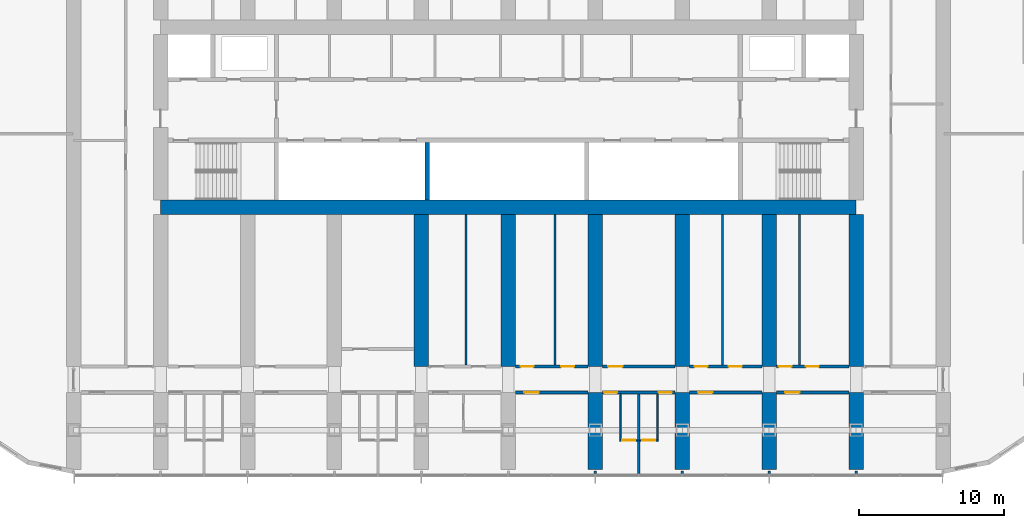
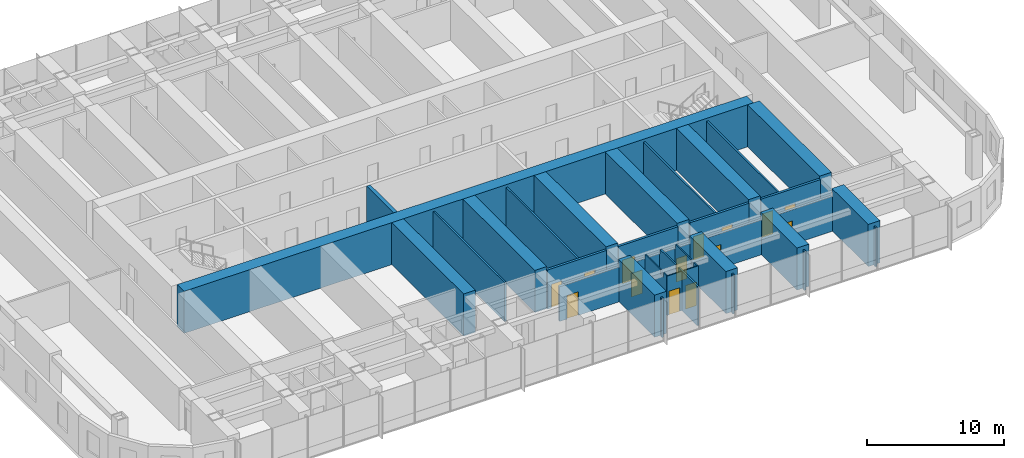
# One storey, part 12 of 22: 33 walls, 14 doors, 14 openings.
"""IFC4 building model written with IfcOpenShell, lengths in metres."""

from ifc_helpers import new_model, si_unit, direction, frame, frame_2d, origin, place, context, subcontext, project, spatial, polyline, rectangle, outline, extrude, material, layer, layer_set, type_object, element, fill, save


model = new_model("IFC4")

# Units and contexts
model_context = context("Model", 3, precision=1e-05, world=origin(), true_north=direction((0.0, 1.0)))
body_context = subcontext(model_context, "Body", "Model", "MODEL_VIEW")
ifc_project = project(units=[si_unit("LENGTHUNIT", "METRE"), si_unit("AREAUNIT", "SQUARE_METRE"), si_unit("VOLUMEUNIT", "CUBIC_METRE"), si_unit("PLANEANGLEUNIT", "RADIAN"), si_unit("MASSUNIT", "GRAM", prefix="KILO")], contexts=[model_context])

# Site, building, storey
site_placement = place(None, origin())
site = spatial("IfcSite", under=ifc_project, at=site_placement, CompositionType="ELEMENT")
building_placement = place(site_placement, origin())
building = spatial("IfcBuilding", under=site, at=building_placement, Name="Orbita Commons", CompositionType="ELEMENT")
storey_placement = place(building_placement, frame((0.0, 0.0, 57.699951171875)))
storey = spatial("IfcBuildingStorey", under=building, at=storey_placement, Name="L14", CompositionType="ELEMENT", Elevation=57.699951171875)

# Walls
ifc_material_1 = material(Name="Concrete C50/60", Category="concrete")
ifc_layer_1 = layer(ifc_material_1, 0.300048828125)
ifc_layer_set_1 = layer_set([ifc_layer_1], Name="Concrete C50/60")
wall_type_1 = type_object("IfcWallType", Name="Core inner wall 300 C50/60", PredefinedType="SHEAR", material=ifc_layer_set_1)
wall_1_placement = place(storey_placement, frame((36.39990234375, 26.300048828125, 0.0), z_axis=(0.0, 0.0, 1.0), x_axis=(0.0, 1.0, 0.0)))
element("IfcWall", 1, at=wall_1_placement, inside=storey, type_object=wall_type_1, Name="Hoistway division wall L14", PredefinedType="SHEAR", context=body_context, shape_type="SweptSolid", body=[
    extrude(rectangle(XDim=3.949951171875, YDim=0.300048828125, at=frame_2d((1.97509765625, 0.0))), origin(), (0.0, 0.0, 1.0), 3.75),
])
ifc_material_2 = material(Name="Concrete C50/60", Category="concrete")
ifc_layer_2 = layer(ifc_material_2, 1.0)
ifc_layer_set_2 = layer_set([ifc_layer_2], Name="Concrete C50/60")
wall_type_2 = type_object("IfcWallType", Name="Core wall 1000 C50/60", PredefinedType="SHEAR", material=ifc_layer_set_2)
wall_2_placement = place(storey_placement, frame((18.0, 25.800048828125, 0.0), z_axis=(0.0, 0.0, 1.0), x_axis=(1.0, 0.0, 0.0)))
element("IfcWall", 2, at=wall_2_placement, inside=storey, type_object=wall_type_2, Name="Core spine wall south L14", PredefinedType="SHEAR", context=body_context, shape_type="SweptSolid", body=[
    extrude(rectangle(XDim=48.0, YDim=1.0, at=frame_2d((24.0, 0.0))), origin(), (0.0, 0.0, 1.0), 3.75),
])

# Wall, opening, door
ifc_material_3 = material(Name="Concrete blockwork", Category="masonry")
ifc_layer_3 = layer(ifc_material_3, 0.199951171875)
ifc_layer_set_3 = layer_set([ifc_layer_3], Name="Concrete blockwork")
wall_type_3 = type_object("IfcWallType", Name="Corridor wall 200 blockwork", PredefinedType="SOLIDWALL", material=ifc_layer_set_3)
wall_3_placement = place(storey_placement, frame((42.5, 13.0, 0.0), z_axis=(0.0, 0.0, 1.0), x_axis=(1.0, 0.0, 0.0)))
wall_3 = element("IfcWall", 3, at=wall_3_placement, inside=storey, type_object=wall_type_3, Name="Corridor wall 200 blockwork L14", PredefinedType="SOLIDWALL", context=body_context, shape_type="SweptSolid", body=[
    extrude(outline(polyline([(0.0, 0.0), (5.0, 0.0), (5.0, 3.10009765625), (0.0, 3.10009765625), (0.0, 0.0)])), frame((0.0, 0.10009765625, 0.0), z_axis=(0.0, -1.0, 0.0), x_axis=(1.0, 0.0, 0.0)), (0.0, 0.0, 1.0), 0.199951171875),
])
opening_1_placement = place(wall_3_placement, frame((0.60009765625, 0.0, 0.0)))
opening_1 = element("IfcOpeningElement", 4, at=opening_1_placement, cuts=wall_3, Name="Opening D06", PredefinedType="OPENING", context=body_context, shape_type="SweptSolid", body=[
    extrude(rectangle(XDim=1.0, YDim=2.10009765625, at=frame_2d((0.5, 1.050048828125))), frame((0.0, 0.10986328125, 0.0), z_axis=(0.0, -1.0, 0.0), x_axis=(1.0, 0.0, 0.0)), (0.0, 0.0, 1.0), 0.219970703125),
])
ifc_material_4 = material(Name="Steel-faced fire door leaf", Category="steel")
door_type_1 = type_object("IfcDoorType", Name="Corridor door 20 min 1000x2100", OperationType="SINGLE_SWING_LEFT", PredefinedType="DOOR", material=ifc_material_4)
door_1_placement = place(opening_1_placement, origin())
door_1 = element("IfcDoor", 5, at=door_1_placement, inside=storey, type_object=door_type_1, Name="House study room L14-S10 door", OperationType="SINGLE_SWING_LEFT", OverallHeight=2.10009765625, OverallWidth=1.0, PredefinedType="DOOR", context=body_context, shape_type="SweptSolid", body=[
    extrude(rectangle(XDim=1.0, YDim=2.10009765625, at=frame_2d((0.5, 1.050048828125))), frame((0.0, 0.02490234375, 0.0), z_axis=(0.0, -1.0, 0.0), x_axis=(1.0, 0.0, 0.0)), (0.0, 0.0, 1.0), 0.050048828125),
])
fill(opening_1, door_1)

# Wall, openings, doors
wall_4_placement = place(storey_placement, frame((48.5, 13.0, 0.0), z_axis=(0.0, 0.0, 1.0), x_axis=(1.0, 0.0, 0.0)))
wall_4 = element("IfcWall", 6, at=wall_4_placement, inside=storey, type_object=wall_type_3, Name="Corridor wall 200 blockwork L14", PredefinedType="SOLIDWALL", context=body_context, shape_type="SweptSolid", body=[
    extrude(outline(polyline([(0.0, 0.0), (5.0, 0.0), (5.0, 3.10009765625), (0.0, 3.10009765625), (0.0, 0.0)])), frame((0.0, 0.10009765625, 0.0), z_axis=(0.0, -1.0, 0.0), x_axis=(1.0, 0.0, 0.0)), (0.0, 0.0, 1.0), 0.199951171875),
])
opening_2_placement = place(wall_4_placement, frame((0.10009765625, 0.0, 0.0)))
opening_2 = element("IfcOpeningElement", 7, at=opening_2_placement, cuts=wall_4, Name="Opening D11", PredefinedType="OPENING", context=body_context, shape_type="SweptSolid", body=[
    extrude(rectangle(XDim=0.89990234375, YDim=2.10009765625, at=frame_2d((0.449951171875, 1.050048828125))), frame((0.0, 0.10986328125, 0.0), z_axis=(0.0, -1.0, 0.0), x_axis=(1.0, 0.0, 0.0)), (0.0, 0.0, 1.0), 0.219970703125),
])
opening_3_placement = place(wall_4_placement, frame((3.875, 0.0, 0.0)))
opening_3 = element("IfcOpeningElement", 8, at=opening_3_placement, cuts=wall_4, Name="Opening D11", PredefinedType="OPENING", context=body_context, shape_type="SweptSolid", body=[
    extrude(rectangle(XDim=0.89990234375, YDim=2.10009765625, at=frame_2d((0.449951171875, 1.050048828125))), frame((0.0, 0.10986328125, 0.0), z_axis=(0.0, -1.0, 0.0), x_axis=(1.0, 0.0, 0.0)), (0.0, 0.0, 1.0), 0.219970703125),
])
ifc_material_5 = material(Name="Steel-faced fire door leaf", Category="steel")
door_type_2 = type_object("IfcDoorType", Name="Corridor door 20 min 900x2100", OperationType="SINGLE_SWING_LEFT", PredefinedType="DOOR", material=ifc_material_5)
door_2_placement = place(opening_2_placement, origin())
door_2 = element("IfcDoor", 9, at=door_2_placement, inside=storey, type_object=door_type_2, Name="House bedroom L14-S12 door", OperationType="SINGLE_SWING_LEFT", OverallHeight=2.10009765625, OverallWidth=0.89990234375, PredefinedType="DOOR", context=body_context, shape_type="SweptSolid", body=[
    extrude(rectangle(XDim=0.89990234375, YDim=2.10009765625, at=frame_2d((0.449951171875, 1.050048828125))), frame((0.0, 0.02490234375, 0.0), z_axis=(0.0, -1.0, 0.0), x_axis=(1.0, 0.0, 0.0)), (0.0, 0.0, 1.0), 0.050048828125),
])
fill(opening_2, door_2)
door_3_placement = place(opening_3_placement, origin())
door_3 = element("IfcDoor", 10, at=door_3_placement, inside=storey, type_object=door_type_2, Name="House bedroom L14-S13 door", OperationType="SINGLE_SWING_LEFT", OverallHeight=2.10009765625, OverallWidth=0.89990234375, PredefinedType="DOOR", context=body_context, shape_type="SweptSolid", body=[
    extrude(rectangle(XDim=0.89990234375, YDim=2.10009765625, at=frame_2d((0.449951171875, 1.050048828125))), frame((0.0, 0.02490234375, 0.0), z_axis=(0.0, -1.0, 0.0), x_axis=(1.0, 0.0, 0.0)), (0.0, 0.0, 1.0), 0.050048828125),
])
fill(opening_3, door_3)

# Wall, opening, door
wall_5_placement = place(storey_placement, frame((54.5, 13.0, 0.0), z_axis=(0.0, 0.0, 1.0), x_axis=(1.0, 0.0, 0.0)))
wall_5 = element("IfcWall", 11, at=wall_5_placement, inside=storey, type_object=wall_type_3, Name="Corridor wall 200 blockwork L14", PredefinedType="SOLIDWALL", context=body_context, shape_type="SweptSolid", body=[
    extrude(outline(polyline([(0.0, 0.0), (5.0, 0.0), (5.0, 3.10009765625), (0.0, 3.10009765625), (0.0, 0.0)])), frame((0.0, 0.10009765625, 0.0), z_axis=(0.0, -1.0, 0.0), x_axis=(1.0, 0.0, 0.0)), (0.0, 0.0, 1.0), 0.199951171875),
])
opening_4_placement = place(wall_5_placement, frame((0.60009765625, 0.0, 0.0)))
opening_4 = element("IfcOpeningElement", 12, at=opening_4_placement, cuts=wall_5, Name="Opening D06", PredefinedType="OPENING", context=body_context, shape_type="SweptSolid", body=[
    extrude(rectangle(XDim=1.0, YDim=2.10009765625, at=frame_2d((0.5, 1.050048828125))), frame((0.0, 0.10986328125, 0.0), z_axis=(0.0, -1.0, 0.0), x_axis=(1.0, 0.0, 0.0)), (0.0, 0.0, 1.0), 0.219970703125),
])
door_4_placement = place(opening_4_placement, origin())
door_4 = element("IfcDoor", 13, at=door_4_placement, inside=storey, type_object=door_type_1, Name="House study room L14-S14 door", OperationType="SINGLE_SWING_LEFT", OverallHeight=2.10009765625, OverallWidth=1.0, PredefinedType="DOOR", context=body_context, shape_type="SweptSolid", body=[
    extrude(rectangle(XDim=1.0, YDim=2.10009765625, at=frame_2d((0.5, 1.050048828125))), frame((0.0, 0.02490234375, 0.0), z_axis=(0.0, -1.0, 0.0), x_axis=(1.0, 0.0, 0.0)), (0.0, 0.0, 1.0), 0.050048828125),
])
fill(opening_4, door_4)

wall_6_placement = place(storey_placement, frame((60.5, 13.0, 0.0), z_axis=(0.0, 0.0, 1.0), x_axis=(1.0, 0.0, 0.0)))
wall_6 = element("IfcWall", 14, at=wall_6_placement, inside=storey, type_object=wall_type_3, Name="Corridor wall 200 blockwork L14", PredefinedType="SOLIDWALL", context=body_context, shape_type="SweptSolid", body=[
    extrude(outline(polyline([(0.0, 0.0), (5.0, 0.0), (5.0, 3.10009765625), (0.0, 3.10009765625), (0.0, 0.0)])), frame((0.0, 0.10009765625, 0.0), z_axis=(0.0, -1.0, 0.0), x_axis=(1.0, 0.0, 0.0)), (0.0, 0.0, 1.0), 0.199951171875),
])
opening_5_placement = place(wall_6_placement, frame((0.60009765625, 0.0, 0.0)))
opening_5 = element("IfcOpeningElement", 15, at=opening_5_placement, cuts=wall_6, Name="Opening D06", PredefinedType="OPENING", context=body_context, shape_type="SweptSolid", body=[
    extrude(rectangle(XDim=1.0, YDim=2.10009765625, at=frame_2d((0.5, 1.050048828125))), frame((0.0, 0.10986328125, 0.0), z_axis=(0.0, -1.0, 0.0), x_axis=(1.0, 0.0, 0.0)), (0.0, 0.0, 1.0), 0.219970703125),
])
door_5_placement = place(opening_5_placement, origin())
door_5 = element("IfcDoor", 16, at=door_5_placement, inside=storey, type_object=door_type_1, Name="House kitchen-diner L14-S16 door", OperationType="SINGLE_SWING_LEFT", OverallHeight=2.10009765625, OverallWidth=1.0, PredefinedType="DOOR", context=body_context, shape_type="SweptSolid", body=[
    extrude(rectangle(XDim=1.0, YDim=2.10009765625, at=frame_2d((0.5, 1.050048828125))), frame((0.0, 0.02490234375, 0.0), z_axis=(0.0, -1.0, 0.0), x_axis=(1.0, 0.0, 0.0)), (0.0, 0.0, 1.0), 0.050048828125),
])
fill(opening_5, door_5)

# Wall, openings, doors
ifc_material_6 = material(Name="Hollow concrete block 200", Category="concrete")
ifc_layer_4 = layer(ifc_material_6, 0.199951171875)
ifc_layer_set_4 = layer_set([ifc_layer_4], Name="Hollow concrete block 200")
wall_type_4 = type_object("IfcWallType", Name="Corridor wall 200 hollow concrete block", PredefinedType="SOLIDWALL", material=ifc_layer_set_4)
wall_7_placement = place(storey_placement, frame((42.5, 14.800048828125, 0.0), z_axis=(0.0, 0.0, 1.0), x_axis=(1.0, 0.0, 0.0)))
wall_7 = element("IfcWall", 17, at=wall_7_placement, inside=storey, type_object=wall_type_4, Name="Corridor wall 200 hollow concrete block L14", PredefinedType="SOLIDWALL", context=body_context, shape_type="SweptSolid", body=[
    extrude(rectangle(XDim=5.0, YDim=0.199951171875, at=frame_2d((2.5, 0.0))), origin(), (0.0, 0.0, 1.0), 3.5),
])
opening_6_placement = place(wall_7_placement, frame((0.35009765625, 0.0, 0.0)))
opening_6 = element("IfcOpeningElement", 18, at=opening_6_placement, cuts=wall_7, Name="Opening D11", PredefinedType="OPENING", context=body_context, shape_type="SweptSolid", body=[
    extrude(rectangle(XDim=0.89990234375, YDim=2.10009765625, at=frame_2d((0.449951171875, 1.050048828125))), frame((0.0, 0.10986328125, 0.0), z_axis=(0.0, -1.0, 0.0), x_axis=(1.0, 0.0, 0.0)), (0.0, 0.0, 1.0), 0.219970703125),
])
opening_7_placement = place(wall_7_placement, frame((3.135009765625, 0.0, 0.0)))
opening_7 = element("IfcOpeningElement", 19, at=opening_7_placement, cuts=wall_7, Name="Opening D11", PredefinedType="OPENING", context=body_context, shape_type="SweptSolid", body=[
    extrude(rectangle(XDim=0.89990234375, YDim=2.10009765625, at=frame_2d((0.449951171875, 1.050048828125))), frame((0.0, 0.10986328125, 0.0), z_axis=(0.0, -1.0, 0.0), x_axis=(1.0, 0.0, 0.0)), (0.0, 0.0, 1.0), 0.219970703125),
])
door_6_placement = place(opening_6_placement, origin())
door_6 = element("IfcDoor", 20, at=door_6_placement, inside=storey, type_object=door_type_2, Name="Equipment store L14-BDS42n door", OperationType="SINGLE_SWING_LEFT", OverallHeight=2.10009765625, OverallWidth=0.89990234375, PredefinedType="DOOR", context=body_context, shape_type="SweptSolid", body=[
    extrude(rectangle(XDim=0.89990234375, YDim=2.10009765625, at=frame_2d((0.449951171875, 1.050048828125))), frame((0.0, 0.02490234375, 0.0), z_axis=(0.0, -1.0, 0.0), x_axis=(1.0, 0.0, 0.0)), (0.0, 0.0, 1.0), 0.050048828125),
])
fill(opening_6, door_6)
door_7_placement = place(opening_7_placement, origin())
door_7 = element("IfcDoor", 21, at=door_7_placement, inside=storey, type_object=door_type_2, Name="Quiet room L14-BDS42 door", OperationType="SINGLE_SWING_LEFT", OverallHeight=2.10009765625, OverallWidth=0.89990234375, PredefinedType="DOOR", context=body_context, shape_type="SweptSolid", body=[
    extrude(rectangle(XDim=0.89990234375, YDim=2.10009765625, at=frame_2d((0.449951171875, 1.050048828125))), frame((0.0, 0.02490234375, 0.0), z_axis=(0.0, -1.0, 0.0), x_axis=(1.0, 0.0, 0.0)), (0.0, 0.0, 1.0), 0.050048828125),
])
fill(opening_7, door_7)

# Wall, opening, door
wall_8_placement = place(storey_placement, frame((48.5, 14.800048828125, 0.0), z_axis=(0.0, 0.0, 1.0), x_axis=(1.0, 0.0, 0.0)))
wall_8 = element("IfcWall", 22, at=wall_8_placement, inside=storey, type_object=wall_type_4, Name="Corridor wall 200 hollow concrete block L14", PredefinedType="SOLIDWALL", context=body_context, shape_type="SweptSolid", body=[
    extrude(rectangle(XDim=5.0, YDim=0.199951171875, at=frame_2d((2.5, 0.0))), origin(), (0.0, 0.0, 1.0), 3.5),
])
opening_8_placement = place(wall_8_placement, frame((0.375, 0.0, 0.0)))
opening_8 = element("IfcOpeningElement", 23, at=opening_8_placement, cuts=wall_8, Name="Opening D06", PredefinedType="OPENING", context=body_context, shape_type="SweptSolid", body=[
    extrude(rectangle(XDim=1.0, YDim=2.10009765625, at=frame_2d((0.5, 1.050048828125))), frame((0.0, 0.10986328125, 0.0), z_axis=(0.0, -1.0, 0.0), x_axis=(1.0, 0.0, 0.0)), (0.0, 0.0, 1.0), 0.219970703125),
])
door_8_placement = place(opening_8_placement, origin())
door_8 = element("IfcDoor", 24, at=door_8_placement, inside=storey, type_object=door_type_1, Name="Storage lockers L14-BDS48 door", OperationType="SINGLE_SWING_LEFT", OverallHeight=2.10009765625, OverallWidth=1.0, PredefinedType="DOOR", context=body_context, shape_type="SweptSolid", body=[
    extrude(rectangle(XDim=1.0, YDim=2.10009765625, at=frame_2d((0.5, 1.050048828125))), frame((0.0, 0.02490234375, 0.0), z_axis=(0.0, -1.0, 0.0), x_axis=(1.0, 0.0, 0.0)), (0.0, 0.0, 1.0), 0.050048828125),
])
fill(opening_8, door_8)

# Wall, openings, doors
wall_9_placement = place(storey_placement, frame((54.5, 14.800048828125, 0.0), z_axis=(0.0, 0.0, 1.0), x_axis=(1.0, 0.0, 0.0)))
wall_9 = element("IfcWall", 25, at=wall_9_placement, inside=storey, type_object=wall_type_4, Name="Corridor wall 200 hollow concrete block L14", PredefinedType="SOLIDWALL", context=body_context, shape_type="SweptSolid", body=[
    extrude(rectangle(XDim=5.0, YDim=0.199951171875, at=frame_2d((2.5, 0.0))), origin(), (0.0, 0.0, 1.0), 3.5),
])
opening_9_placement = place(wall_9_placement, frame((0.35009765625, 0.0, 0.0)))
opening_9 = element("IfcOpeningElement", 26, at=opening_9_placement, cuts=wall_9, Name="Opening D11", PredefinedType="OPENING", context=body_context, shape_type="SweptSolid", body=[
    extrude(rectangle(XDim=0.89990234375, YDim=2.10009765625, at=frame_2d((0.449951171875, 1.050048828125))), frame((0.0, 0.10986328125, 0.0), z_axis=(0.0, -1.0, 0.0), x_axis=(1.0, 0.0, 0.0)), (0.0, 0.0, 1.0), 0.219970703125),
])
opening_10_placement = place(wall_9_placement, frame((2.705078125, 0.0, 0.0)))
opening_10 = element("IfcOpeningElement", 27, at=opening_10_placement, cuts=wall_9, Name="Opening D11", PredefinedType="OPENING", context=body_context, shape_type="SweptSolid", body=[
    extrude(rectangle(XDim=0.89990234375, YDim=2.10009765625, at=frame_2d((0.449951171875, 1.050048828125))), frame((0.0, 0.10986328125, 0.0), z_axis=(0.0, -1.0, 0.0), x_axis=(1.0, 0.0, 0.0)), (0.0, 0.0, 1.0), 0.219970703125),
])
door_9_placement = place(opening_9_placement, origin())
door_9 = element("IfcDoor", 28, at=door_9_placement, inside=storey, type_object=door_type_2, Name="Battery and UPS room L14-BDS54n door", OperationType="SINGLE_SWING_LEFT", OverallHeight=2.10009765625, OverallWidth=0.89990234375, PredefinedType="DOOR", context=body_context, shape_type="SweptSolid", body=[
    extrude(rectangle(XDim=0.89990234375, YDim=2.10009765625, at=frame_2d((0.449951171875, 1.050048828125))), frame((0.0, 0.02490234375, 0.0), z_axis=(0.0, -1.0, 0.0), x_axis=(1.0, 0.0, 0.0)), (0.0, 0.0, 1.0), 0.050048828125),
])
fill(opening_9, door_9)
door_10_placement = place(opening_10_placement, origin())
door_10 = element("IfcDoor", 29, at=door_10_placement, inside=storey, type_object=door_type_2, Name="Refuse and recycling room L14-BDS54 door", OperationType="SINGLE_SWING_LEFT", OverallHeight=2.10009765625, OverallWidth=0.89990234375, PredefinedType="DOOR", context=body_context, shape_type="SweptSolid", body=[
    extrude(rectangle(XDim=0.89990234375, YDim=2.10009765625, at=frame_2d((0.449951171875, 1.050048828125))), frame((0.0, 0.02490234375, 0.0), z_axis=(0.0, -1.0, 0.0), x_axis=(1.0, 0.0, 0.0)), (0.0, 0.0, 1.0), 0.050048828125),
])
fill(opening_10, door_10)

wall_10_placement = place(storey_placement, frame((60.5, 14.800048828125, 0.0), z_axis=(0.0, 0.0, 1.0), x_axis=(1.0, 0.0, 0.0)))
wall_10 = element("IfcWall", 30, at=wall_10_placement, inside=storey, type_object=wall_type_4, Name="Corridor wall 200 hollow concrete block L14", PredefinedType="SOLIDWALL", context=body_context, shape_type="SweptSolid", body=[
    extrude(rectangle(XDim=5.0, YDim=0.199951171875, at=frame_2d((2.5, 0.0))), origin(), (0.0, 0.0, 1.0), 3.5),
])
opening_11_placement = place(wall_10_placement, frame((0.14990234375, 0.0, 0.0)))
opening_11 = element("IfcOpeningElement", 31, at=opening_11_placement, cuts=wall_10, Name="Opening D11", PredefinedType="OPENING", context=body_context, shape_type="SweptSolid", body=[
    extrude(rectangle(XDim=0.89990234375, YDim=2.10009765625, at=frame_2d((0.449951171875, 1.050048828125))), frame((0.0, 0.10986328125, 0.0), z_axis=(0.0, -1.0, 0.0), x_axis=(1.0, 0.0, 0.0)), (0.0, 0.0, 1.0), 0.219970703125),
])
opening_12_placement = place(wall_10_placement, frame((2.02001953125, 0.0, 0.0)))
opening_12 = element("IfcOpeningElement", 32, at=opening_12_placement, cuts=wall_10, Name="Opening D11", PredefinedType="OPENING", context=body_context, shape_type="SweptSolid", body=[
    extrude(rectangle(XDim=0.89990234375, YDim=2.10009765625, at=frame_2d((0.449951171875, 1.050048828125))), frame((0.0, 0.10986328125, 0.0), z_axis=(0.0, -1.0, 0.0), x_axis=(1.0, 0.0, 0.0)), (0.0, 0.0, 1.0), 0.219970703125),
])
door_11_placement = place(opening_11_placement, origin())
door_11 = element("IfcDoor", 33, at=door_11_placement, inside=storey, type_object=door_type_2, Name="Sprinkler valve room L14-BDS60n door", OperationType="SINGLE_SWING_LEFT", OverallHeight=2.10009765625, OverallWidth=0.89990234375, PredefinedType="DOOR", context=body_context, shape_type="SweptSolid", body=[
    extrude(rectangle(XDim=0.89990234375, YDim=2.10009765625, at=frame_2d((0.449951171875, 1.050048828125))), frame((0.0, 0.02490234375, 0.0), z_axis=(0.0, -1.0, 0.0), x_axis=(1.0, 0.0, 0.0)), (0.0, 0.0, 1.0), 0.050048828125),
])
fill(opening_11, door_11)
door_12_placement = place(opening_12_placement, origin())
door_12 = element("IfcDoor", 34, at=door_12_placement, inside=storey, type_object=door_type_2, Name="House pantry L14-BDS60 door", OperationType="SINGLE_SWING_LEFT", OverallHeight=2.10009765625, OverallWidth=0.89990234375, PredefinedType="DOOR", context=body_context, shape_type="SweptSolid", body=[
    extrude(rectangle(XDim=0.89990234375, YDim=2.10009765625, at=frame_2d((0.449951171875, 1.050048828125))), frame((0.0, 0.02490234375, 0.0), z_axis=(0.0, -1.0, 0.0), x_axis=(1.0, 0.0, 0.0)), (0.0, 0.0, 1.0), 0.050048828125),
])
fill(opening_12, door_12)

# Walls
ifc_material_7 = material(Name="Concrete C50/60", Category="concrete")
ifc_layer_5 = layer(ifc_material_7, 1.0)
ifc_layer_set_5 = layer_set([ifc_layer_5], Name="Concrete C50/60")
wall_type_5 = type_object("IfcWallType", Name="Cross wall 1000 C50/60", PredefinedType="SHEAR", material=ifc_layer_set_5)
for number, where, z_axis, x_axis, name in (
    (35, (36.0, 14.800048828125, 0.0), (0.0, 0.0, 1.0), (0.0, 1.0, 0.0), "Cross wall 7 south inner L14"),
    (36, (42.0, 14.800048828125, 0.0), (0.0, 0.0, 1.0), (0.0, 1.0, 0.0), "Cross wall 8 south inner L14"),
):
    element("IfcWall", number, at=place(storey_placement, frame(where, z_axis=z_axis, x_axis=x_axis)), inside=storey, type_object=wall_type_5, Name=name, PredefinedType="SHEAR", context=body_context, shape_type="SweptSolid", body=[
        extrude(rectangle(XDim=10.5, YDim=1.0, at=frame_2d((5.25, 0.0))), origin(), (0.0, 0.0, 1.0), 3.75),
    ])
wall_11_placement = place(storey_placement, frame((48.0, 7.699951171875, 0.0), z_axis=(0.0, 0.0, 1.0), x_axis=(0.0, 1.0, 0.0)))
element("IfcWall", 37, at=wall_11_placement, inside=storey, type_object=wall_type_5, Name="Cross wall 9 south outer L14", PredefinedType="SHEAR", context=body_context, shape_type="SweptSolid", body=[
    extrude(rectangle(XDim=5.300048828125, YDim=1.0, at=frame_2d((2.64990234375, 0.0))), origin(), (0.0, 0.0, 1.0), 3.75),
])
wall_12_placement = place(storey_placement, frame((48.0, 14.800048828125, 0.0), z_axis=(0.0, 0.0, 1.0), x_axis=(0.0, 1.0, 0.0)))
element("IfcWall", 38, at=wall_12_placement, inside=storey, type_object=wall_type_5, Name="Cross wall 9 south inner L14", PredefinedType="SHEAR", context=body_context, shape_type="SweptSolid", body=[
    extrude(rectangle(XDim=10.5, YDim=1.0, at=frame_2d((5.25, 0.0))), origin(), (0.0, 0.0, 1.0), 3.75),
])
wall_13_placement = place(storey_placement, frame((54.0, 7.699951171875, 0.0), z_axis=(0.0, 0.0, 1.0), x_axis=(0.0, 1.0, 0.0)))
element("IfcWall", 39, at=wall_13_placement, inside=storey, type_object=wall_type_5, Name="Cross wall 10 south outer L14", PredefinedType="SHEAR", context=body_context, shape_type="SweptSolid", body=[
    extrude(rectangle(XDim=5.300048828125, YDim=1.0, at=frame_2d((2.64990234375, 0.0))), origin(), (0.0, 0.0, 1.0), 3.75),
])
wall_14_placement = place(storey_placement, frame((54.0, 14.800048828125, 0.0), z_axis=(0.0, 0.0, 1.0), x_axis=(0.0, 1.0, 0.0)))
element("IfcWall", 40, at=wall_14_placement, inside=storey, type_object=wall_type_5, Name="Cross wall 10 south inner L14", PredefinedType="SHEAR", context=body_context, shape_type="SweptSolid", body=[
    extrude(rectangle(XDim=10.5, YDim=1.0, at=frame_2d((5.25, 0.0))), origin(), (0.0, 0.0, 1.0), 3.75),
])
wall_15_placement = place(storey_placement, frame((60.0, 7.699951171875, 0.0), z_axis=(0.0, 0.0, 1.0), x_axis=(0.0, 1.0, 0.0)))
element("IfcWall", 41, at=wall_15_placement, inside=storey, type_object=wall_type_5, Name="Cross wall 11 south outer L14", PredefinedType="SHEAR", context=body_context, shape_type="SweptSolid", body=[
    extrude(rectangle(XDim=5.300048828125, YDim=1.0, at=frame_2d((2.64990234375, 0.0))), origin(), (0.0, 0.0, 1.0), 3.75),
])
wall_16_placement = place(storey_placement, frame((60.0, 14.800048828125, 0.0), z_axis=(0.0, 0.0, 1.0), x_axis=(0.0, 1.0, 0.0)))
element("IfcWall", 42, at=wall_16_placement, inside=storey, type_object=wall_type_5, Name="Cross wall 11 south inner L14", PredefinedType="SHEAR", context=body_context, shape_type="SweptSolid", body=[
    extrude(rectangle(XDim=10.5, YDim=1.0, at=frame_2d((5.25, 0.0))), origin(), (0.0, 0.0, 1.0), 3.75),
])
wall_17_placement = place(storey_placement, frame((66.0, 7.699951171875, 0.0), z_axis=(0.0, 0.0, 1.0), x_axis=(0.0, 1.0, 0.0)))
element("IfcWall", 43, at=wall_17_placement, inside=storey, type_object=wall_type_5, Name="Cross wall 12 south outer L14", PredefinedType="SHEAR", context=body_context, shape_type="SweptSolid", body=[
    extrude(rectangle(XDim=5.300048828125, YDim=1.0, at=frame_2d((2.64990234375, 0.0))), origin(), (0.0, 0.0, 1.0), 3.75),
])
wall_18_placement = place(storey_placement, frame((66.0, 14.800048828125, 0.0), z_axis=(0.0, 0.0, 1.0), x_axis=(0.0, 1.0, 0.0)))
element("IfcWall", 44, at=wall_18_placement, inside=storey, type_object=wall_type_5, Name="Cross wall 12 south inner L14", PredefinedType="SHEAR", context=body_context, shape_type="SweptSolid", body=[
    extrude(rectangle(XDim=10.5, YDim=1.0, at=frame_2d((5.25, 0.0))), origin(), (0.0, 0.0, 1.0), 3.75),
])

# Wall, opening, door
ifc_material_8 = material(Name="Moisture-resistant plasterboard on steel studs", Category="steel")
ifc_layer_6 = layer(ifc_material_8, 0.10009765625)
ifc_layer_set_6 = layer_set([ifc_layer_6], Name="Moisture-resistant plasterboard on steel studs")
wall_type_6 = type_object("IfcWallType", Name="En-suite partition 100", PredefinedType="PARTITIONING", material=ifc_layer_set_6)
wall_19_placement = place(storey_placement, frame((50.925048828125, 9.699951171875, 0.0), z_axis=(0.0, 0.0, 1.0), x_axis=(-1.0, 0.0, 0.0)))
wall_19 = element("IfcWall", 45, at=wall_19_placement, inside=storey, type_object=wall_type_6, Name="En-suite partition 100 L14", PredefinedType="PARTITIONING", context=body_context, shape_type="SweptSolid", body=[
    extrude(rectangle(XDim=1.25, YDim=0.10009765625, at=frame_2d((0.625, 0.0))), origin(), (0.0, 0.0, 1.0), 3.5),
])
opening_13_placement = place(wall_19_placement, frame((0.175048828125, 0.0, 0.0)))
opening_13 = element("IfcOpeningElement", 46, at=opening_13_placement, cuts=wall_19, Name="Opening D09", PredefinedType="OPENING", context=body_context, shape_type="SweptSolid", body=[
    extrude(rectangle(XDim=0.89990234375, YDim=2.10009765625, at=frame_2d((0.449951171875, 1.050048828125))), frame((0.0, 0.06005859375, 0.0), z_axis=(0.0, -1.0, 0.0), x_axis=(1.0, 0.0, 0.0)), (0.0, 0.0, 1.0), 0.1201171875),
])
ifc_material_9 = material(Name="Laminated timber door leaf", Category="wood")
door_type_3 = type_object("IfcDoorType", Name="En-suite door 900x2100", OperationType="SINGLE_SWING_RIGHT", PredefinedType="DOOR", material=ifc_material_9)
door_13_placement = place(opening_13_placement, origin())
door_13 = element("IfcDoor", 47, at=door_13_placement, inside=storey, type_object=door_type_3, Name="En-suite L14-S12 door", OperationType="SINGLE_SWING_RIGHT", OverallHeight=2.10009765625, OverallWidth=0.89990234375, PredefinedType="DOOR", context=body_context, shape_type="SweptSolid", body=[
    extrude(rectangle(XDim=0.89990234375, YDim=2.10009765625, at=frame_2d((0.449951171875, 1.050048828125))), frame((0.0, 0.02490234375, 0.0), z_axis=(0.0, -1.0, 0.0), x_axis=(1.0, 0.0, 0.0)), (0.0, 0.0, 1.0), 0.050048828125),
])
fill(opening_13, door_13)

# Wall
wall_20_placement = place(storey_placement, frame((49.72509765625, 9.75, 0.0), z_axis=(0.0, 0.0, 1.0), x_axis=(0.0, 1.0, 0.0)))
element("IfcWall", 48, at=wall_20_placement, inside=storey, type_object=wall_type_6, Name="En-suite partition 100 L14", PredefinedType="PARTITIONING", context=body_context, shape_type="SweptSolid", body=[
    extrude(outline(polyline([(0.0, 0.0), (3.14990234375, 0.0), (3.14990234375, 3.10009765625), (3.10205078125, 3.10009765625), (3.10009765625, 3.5), (0.85205078125, 3.5), (0.85009765625, 3.10009765625), (0.451904296875, 3.10009765625), (0.449951171875, 3.5), (0.0, 3.5), (0.0, 0.0)])), frame((0.0, 0.050048828125, 0.0), z_axis=(0.0, -1.0, 0.0), x_axis=(1.0, 0.0, 0.0)), (0.0, 0.0, 1.0), 0.10009765625),
])

# Wall, opening, door
wall_21_placement = place(storey_placement, frame((52.324951171875, 9.699951171875, 0.0), z_axis=(0.0, 0.0, 1.0), x_axis=(-1.0, 0.0, 0.0)))
wall_21 = element("IfcWall", 49, at=wall_21_placement, inside=storey, type_object=wall_type_6, Name="En-suite partition 100 L14", PredefinedType="PARTITIONING", context=body_context, shape_type="SweptSolid", body=[
    extrude(rectangle(XDim=1.25, YDim=0.10009765625, at=frame_2d((0.625, 0.0))), origin(), (0.0, 0.0, 1.0), 3.5),
])
opening_14_placement = place(wall_21_placement, frame((0.175048828125, 0.0, 0.0)))
opening_14 = element("IfcOpeningElement", 50, at=opening_14_placement, cuts=wall_21, Name="Opening D09", PredefinedType="OPENING", context=body_context, shape_type="SweptSolid", body=[
    extrude(rectangle(XDim=0.89990234375, YDim=2.10009765625, at=frame_2d((0.449951171875, 1.050048828125))), frame((0.0, 0.06005859375, 0.0), z_axis=(0.0, -1.0, 0.0), x_axis=(1.0, 0.0, 0.0)), (0.0, 0.0, 1.0), 0.1201171875),
])
door_14_placement = place(opening_14_placement, origin())
door_14 = element("IfcDoor", 51, at=door_14_placement, inside=storey, type_object=door_type_3, Name="En-suite L14-S13 door", OperationType="SINGLE_SWING_RIGHT", OverallHeight=2.10009765625, OverallWidth=0.89990234375, PredefinedType="DOOR", context=body_context, shape_type="SweptSolid", body=[
    extrude(rectangle(XDim=0.89990234375, YDim=2.10009765625, at=frame_2d((0.449951171875, 1.050048828125))), frame((0.0, 0.02490234375, 0.0), z_axis=(0.0, -1.0, 0.0), x_axis=(1.0, 0.0, 0.0)), (0.0, 0.0, 1.0), 0.050048828125),
])
fill(opening_14, door_14)

# Walls
wall_22_placement = place(storey_placement, frame((52.27490234375, 9.75, 0.0), z_axis=(0.0, 0.0, 1.0), x_axis=(0.0, 1.0, 0.0)))
element("IfcWall", 52, at=wall_22_placement, inside=storey, type_object=wall_type_6, Name="En-suite partition 100 L14", PredefinedType="PARTITIONING", context=body_context, shape_type="SweptSolid", body=[
    extrude(outline(polyline([(0.0, 0.0), (3.14990234375, 0.0), (3.14990234375, 3.10009765625), (3.10205078125, 3.10009765625), (3.10009765625, 3.5), (0.85205078125, 3.5), (0.85009765625, 3.10009765625), (0.451904296875, 3.10009765625), (0.449951171875, 3.5), (0.0, 3.5), (0.0, 0.0)])), frame((0.0, 0.050048828125, 0.0), z_axis=(0.0, -1.0, 0.0), x_axis=(1.0, 0.0, 0.0)), (0.0, 0.0, 1.0), 0.10009765625),
])
ifc_material_10 = material(Name="Gypsum plasterboard on steel studs", Category="steel")
ifc_layer_7 = layer(ifc_material_10, 0.14990234375)
ifc_layer_set_7 = layer_set([ifc_layer_7], Name="Gypsum plasterboard on steel studs")
wall_type_7 = type_object("IfcWallType", Name="Partition 150 plasterboard", PredefinedType="PARTITIONING", material=ifc_layer_set_7)
for number, where, z_axis, x_axis, name in (
    (53, (39.074951171875, 14.89990234375, 0.0), (0.0, 0.0, 1.0), (0.0, 1.0, 0.0), "Partition 150 plasterboard L14"),
    (54, (45.2099609375, 14.89990234375, 0.0), (0.0, 0.0, 1.0), (0.0, 1.0, 0.0), "Partition 150 plasterboard L14"),
    (55, (56.780029296875, 14.89990234375, 0.0), (0.0, 0.0, 1.0), (0.0, 1.0, 0.0), "Partition 150 plasterboard L14"),
    (56, (62.094970703125, 14.89990234375, 0.0), (0.0, 0.0, 1.0), (0.0, 1.0, 0.0), "Partition 150 plasterboard L14"),
):
    element("IfcWall", number, at=place(storey_placement, frame(where, z_axis=z_axis, x_axis=x_axis)), inside=storey, type_object=wall_type_7, Name=name, PredefinedType="PARTITIONING", context=body_context, shape_type="SweptSolid", body=[
        extrude(rectangle(XDim=10.400146484375, YDim=0.14990234375, at=frame_2d((5.2001953125, 0.0))), origin(), (0.0, 0.0, 1.0), 3.5),
    ])
for number, where, z_axis, x_axis, name in (
    (57, (48.0, 7.60009765625, 0.0), (0.0, 0.0, 1.0), (0.0, -1.0, 0.0), "Partition 150 plasterboard L14"),
    (58, (54.0, 7.60009765625, 0.0), (0.0, 0.0, 1.0), (0.0, -1.0, 0.0), "Partition 150 plasterboard L14"),
    (59, (60.0, 7.60009765625, 0.0), (0.0, 0.0, 1.0), (0.0, -1.0, 0.0), "Partition 150 plasterboard L14"),
    (60, (66.0, 7.60009765625, 0.0), (0.0, 0.0, 1.0), (0.0, -1.0, 0.0), "Partition 150 plasterboard L14"),
):
    element("IfcWall", number, at=place(storey_placement, frame(where, z_axis=z_axis, x_axis=x_axis)), inside=storey, type_object=wall_type_7, Name=name, PredefinedType="PARTITIONING", context=body_context, shape_type="SweptSolid", body=[
        extrude(rectangle(XDim=0.190185546875, YDim=0.14990234375, at=frame_2d((0.09521484375, 0.0))), origin(), (0.0, 0.0, 1.0), 3.5),
    ])
ifc_material_11 = material(Name="Gypsum plasterboard on steel studs", Category="steel")
ifc_layer_8 = layer(ifc_material_11, 0.14990234375)
ifc_layer_set_8 = layer_set([ifc_layer_8], Name="Gypsum plasterboard on steel studs")
wall_type_8 = type_object("IfcWallType", Name="Party wall 150 plasterboard", PredefinedType="PARTITIONING", material=ifc_layer_set_8)
wall_23_placement = place(storey_placement, frame((51.0, 7.409912109375, 0.0), z_axis=(0.0, 0.0, 1.0), x_axis=(0.0, 1.0, 0.0)))
element("IfcWall", 61, at=wall_23_placement, inside=storey, type_object=wall_type_8, Name="Party wall 150 plasterboard L14", PredefinedType="PARTITIONING", context=body_context, shape_type="SweptSolid", body=[
    extrude(outline(polyline([(0.0, 0.0), (5.489990234375, 0.0), (5.489990234375, 3.10009765625), (5.44189453125, 3.10009765625), (5.43994140625, 3.5), (3.19189453125, 3.5), (3.18994140625, 3.10009765625), (2.7919921875, 3.10009765625), (2.7900390625, 3.5), (0.0, 3.5), (0.0, 0.0)])), frame((0.0, 0.074951171875, 0.0), z_axis=(0.0, -1.0, 0.0), x_axis=(1.0, 0.0, 0.0)), (0.0, 0.0, 1.0), 0.14990234375),
])

save(model, "model.ifc")
